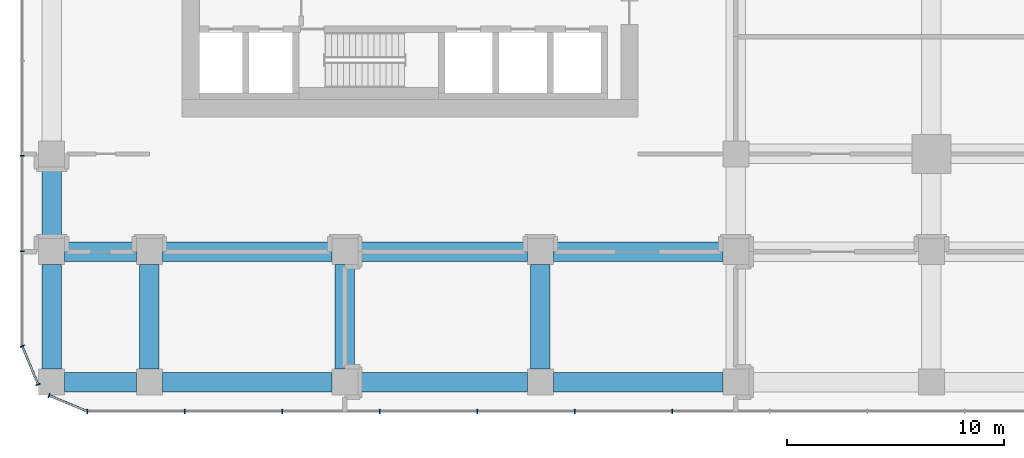
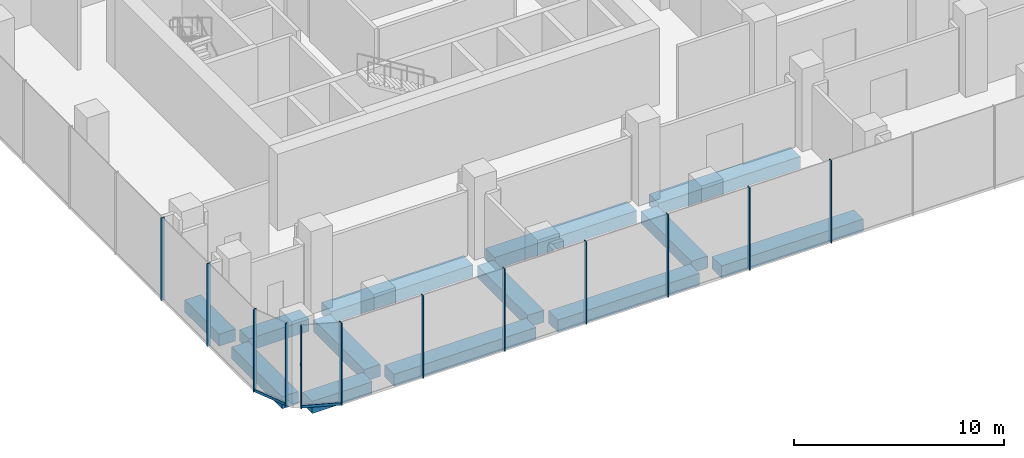
# One storey, part 2 of 42: 14 members, 13 beams, 4 elements without a shape of their own.
"""IFC4 building model written with IfcOpenShell, lengths in metres."""

from ifc_helpers import new_model, si_unit, direction, frame, origin, origin_2d, place, context, subcontext, project, spatial, rectangle, extrude, material, layer, layer_set, material_profile, profile_set, type_object, element, aggregate, save


model = new_model("IFC4")

# Units and contexts
model_context = context("Model", 3, precision=1e-05, world=origin(), true_north=direction((0.0, 1.0)))
body_context = subcontext(model_context, "Body", "Model", "MODEL_VIEW")
ifc_project = project(units=[si_unit("LENGTHUNIT", "METRE"), si_unit("AREAUNIT", "SQUARE_METRE"), si_unit("VOLUMEUNIT", "CUBIC_METRE"), si_unit("PLANEANGLEUNIT", "RADIAN"), si_unit("MASSUNIT", "GRAM", prefix="KILO")], contexts=[model_context])

# Site, building, storey
site_placement = place(None, origin())
site = spatial("IfcSite", under=ifc_project, at=site_placement, CompositionType="ELEMENT")
building_placement = place(site_placement, origin())
building = spatial("IfcBuilding", under=site, at=building_placement, Name="Plateau Cross Towers", CompositionType="ELEMENT")
storey_placement = place(building_placement, frame((0.0, 0.0, 8.0)))
storey = spatial("IfcBuildingStorey", under=building, at=storey_placement, Name="L01", CompositionType="ELEMENT", Elevation=8.0)

# Curtain wall, members
ifc_material_1 = material(Name="Dark low-iron laminated glass", Category="glass")
ifc_layer = layer(ifc_material_1, 0.300048828125)
ifc_layer_set = layer_set([ifc_layer], Name="Dark low-iron laminated glass")
curtain_wall_type = type_object("IfcCurtainWallType", Name="Curtain wall structural silicone CW-C", PredefinedType="NOTDEFINED", material=ifc_layer_set)
curtain_wall_1_placement = place(storey_placement, origin())
curtain_wall_1 = element("IfcCurtainWall", 1, at=curtain_wall_1_placement, inside=storey, type_object=curtain_wall_type, Name="ENV/P/L01/P-28_-118", PredefinedType="NOTDEFINED")
ifc_material_2 = material(Name="Black anodised aluminium", Category="aluminium")
ifc_material_profile_1 = material_profile(ifc_material_2, rectangle(XDim=0.050048828125, YDim=0.199951171875, at=origin_2d()), Name="MULLION 50x200")
ifc_profile_set_1 = profile_set([ifc_material_profile_1], Name="Black anodised aluminium")
member_type_1 = type_object("IfcMemberType", Name="Mullion 50x200 structural silicone", PredefinedType="MULLION", material=ifc_profile_set_1)
member_1_placement = place(storey_placement, frame((-2.85009765625, -11.85009765625, -0.35009765625), z_axis=(0.0, 0.0, 1.0), x_axis=(1.0, 0.0, 0.0)))
member_1 = element("IfcMember", 2, at=member_1_placement, type_object=member_type_1, Name="CW-C mullion 1", PredefinedType="MULLION", context=body_context, shape_type="SweptSolid", body=[
    extrude(rectangle(XDim=0.050048828125, YDim=0.199951171875, at=origin_2d()), origin(), (0.0, 0.0, 1.0), 4.800048828125),
])
member_2_placement = place(storey_placement, frame((1.637451171875, -11.85009765625, -0.35009765625), z_axis=(0.0, 0.0, 1.0), x_axis=(1.0, 0.0, 0.0)))
member_2 = element("IfcMember", 3, at=member_2_placement, type_object=member_type_1, Name="CW-C mullion 2", PredefinedType="MULLION", context=body_context, shape_type="SweptSolid", body=[
    extrude(rectangle(XDim=0.050048828125, YDim=0.199951171875, at=origin_2d()), origin(), (0.0, 0.0, 1.0), 4.800048828125),
])
member_3_placement = place(storey_placement, frame((6.125, -11.85009765625, -0.35009765625), z_axis=(0.0, 0.0, 1.0), x_axis=(1.0, 0.0, 0.0)))
member_3 = element("IfcMember", 4, at=member_3_placement, type_object=member_type_1, Name="CW-C mullion 3", PredefinedType="MULLION", context=body_context, shape_type="SweptSolid", body=[
    extrude(rectangle(XDim=0.050048828125, YDim=0.199951171875, at=origin_2d()), origin(), (0.0, 0.0, 1.0), 4.800048828125),
])
member_4_placement = place(storey_placement, frame((10.612548828125, -11.85009765625, -0.35009765625), z_axis=(0.0, 0.0, 1.0), x_axis=(1.0, 0.0, 0.0)))
member_4 = element("IfcMember", 5, at=member_4_placement, type_object=member_type_1, Name="CW-C mullion 4", PredefinedType="MULLION", context=body_context, shape_type="SweptSolid", body=[
    extrude(rectangle(XDim=0.050048828125, YDim=0.199951171875, at=origin_2d()), origin(), (0.0, 0.0, 1.0), 4.800048828125),
])
member_5_placement = place(storey_placement, frame((15.10009765625, -11.85009765625, -0.35009765625), z_axis=(0.0, 0.0, 1.0), x_axis=(1.0, 0.0, 0.0)))
member_5 = element("IfcMember", 6, at=member_5_placement, type_object=member_type_1, Name="CW-C mullion 5", PredefinedType="MULLION", context=body_context, shape_type="SweptSolid", body=[
    extrude(rectangle(XDim=0.050048828125, YDim=0.199951171875, at=origin_2d()), origin(), (0.0, 0.0, 1.0), 4.800048828125),
])
member_6_placement = place(storey_placement, frame((19.58740234375, -11.85009765625, -0.35009765625), z_axis=(0.0, 0.0, 1.0), x_axis=(1.0, 0.0, 0.0)))
member_6 = element("IfcMember", 7, at=member_6_placement, type_object=member_type_1, Name="CW-C mullion 6", PredefinedType="MULLION", context=body_context, shape_type="SweptSolid", body=[
    extrude(rectangle(XDim=0.050048828125, YDim=0.199951171875, at=origin_2d()), origin(), (0.0, 0.0, 1.0), 4.800048828125),
])
member_7_placement = place(storey_placement, frame((24.074951171875, -11.85009765625, -0.35009765625), z_axis=(0.0, 0.0, 1.0), x_axis=(1.0, 0.0, 0.0)))
member_7 = element("IfcMember", 8, at=member_7_placement, type_object=member_type_1, Name="CW-C mullion 7", PredefinedType="MULLION", context=body_context, shape_type="SweptSolid", body=[
    extrude(rectangle(XDim=0.050048828125, YDim=0.199951171875, at=origin_2d()), origin(), (0.0, 0.0, 1.0), 4.800048828125),
])
aggregate(curtain_wall_1, [member_1, member_2, member_3, member_4, member_5, member_6, member_7])

curtain_wall_2_placement = place(storey_placement, origin())
curtain_wall_2 = element("IfcCurtainWall", 9, at=curtain_wall_2_placement, inside=storey, type_object=curtain_wall_type, Name="ENV/P/L01/P-58_568", PredefinedType="NOTDEFINED")
member_8_placement = place(storey_placement, frame((-5.85009765625, -0.090087890625, -0.35009765625), z_axis=(0.0, 0.0, 1.0), x_axis=(0.0, -1.0, 0.0)))
member_8 = element("IfcMember", 10, at=member_8_placement, type_object=member_type_1, Name="CW-C mullion 14", PredefinedType="MULLION", context=body_context, shape_type="SweptSolid", body=[
    extrude(rectangle(XDim=0.050048828125, YDim=0.199951171875, at=origin_2d()), origin(), (0.0, 0.0, 1.0), 4.800048828125),
])
member_9_placement = place(storey_placement, frame((-5.85009765625, -4.469970703125, -0.35009765625), z_axis=(0.0, 0.0, 1.0), x_axis=(0.0, -1.0, 0.0)))
member_9 = element("IfcMember", 11, at=member_9_placement, type_object=member_type_1, Name="CW-C mullion 15", PredefinedType="MULLION", context=body_context, shape_type="SweptSolid", body=[
    extrude(rectangle(XDim=0.050048828125, YDim=0.199951171875, at=origin_2d()), origin(), (0.0, 0.0, 1.0), 4.800048828125),
])
aggregate(curtain_wall_2, [member_8, member_9])

curtain_wall_3_placement = place(storey_placement, origin())
curtain_wall_3 = element("IfcCurtainWall", 12, at=curtain_wall_3_placement, inside=storey, type_object=curtain_wall_type, Name="ENV/P/L01/P-58_-88", PredefinedType="NOTDEFINED")
member_10_placement = place(storey_placement, frame((-5.85009765625, -8.85009765625, -0.35009765625), z_axis=(0.0, 0.0, 1.0), x_axis=(0.382683612978, -0.923879457699, 0.0)))
member_10 = element("IfcMember", 13, at=member_10_placement, type_object=member_type_1, Name="CW-C mullion 1", PredefinedType="MULLION", context=body_context, shape_type="SweptSolid", body=[
    extrude(rectangle(XDim=0.050048828125, YDim=0.199951171875, at=origin_2d()), origin(), (0.0, 0.0, 1.0), 4.800048828125),
])
member_11_placement = place(storey_placement, frame((-5.1201171875, -10.6123046875, -0.35009765625), z_axis=(0.0, 0.0, 1.0), x_axis=(0.382683612978, -0.923879457699, 0.0)))
member_11 = element("IfcMember", 14, at=member_11_placement, type_object=member_type_1, Name="CW-C mullion 2", PredefinedType="MULLION", context=body_context, shape_type="SweptSolid", body=[
    extrude(rectangle(XDim=0.050048828125, YDim=0.199951171875, at=origin_2d()), origin(), (0.0, 0.0, 1.0), 4.800048828125),
])

# Curtain wall, member
curtain_wall_4_placement = place(storey_placement, origin())
curtain_wall_4 = element("IfcCurtainWall", 15, at=curtain_wall_4_placement, inside=storey, type_object=curtain_wall_type, Name="ENV/P/L01/P-46_-111", PredefinedType="NOTDEFINED")
member_12_placement = place(storey_placement, frame((-4.6123046875, -11.1201171875, -0.35009765625), z_axis=(0.0, 0.0, 1.0), x_axis=(0.923879457699, -0.382683612978, 0.0)))
member_12 = element("IfcMember", 16, at=member_12_placement, type_object=member_type_1, Name="CW-C mullion 1", PredefinedType="MULLION", context=body_context, shape_type="SweptSolid", body=[
    extrude(rectangle(XDim=0.050048828125, YDim=0.199951171875, at=origin_2d()), origin(), (0.0, 0.0, 1.0), 4.800048828125),
])

# Beams
ifc_material_3 = material(Name="Concrete C50/60", Category="concrete")
ifc_material_profile_2 = material_profile(ifc_material_3, rectangle(XDim=0.89990234375, YDim=0.699951171875, at=origin_2d()), Name="RC 900x700")
ifc_profile_set_2 = profile_set([ifc_material_profile_2], Name="Concrete C50/60")
beam_type = type_object("IfcBeamType", Name="Podium band beam RC 900x700", PredefinedType="BEAM", material=ifc_profile_set_2)
beam_1_placement = place(storey_placement, frame((-3.89990234375, -10.5, -0.699951171875), z_axis=(1.0, 0.0, 0.0), x_axis=(0.0, 1.0, 0.0)))
element("IfcBeam", 17, at=beam_1_placement, inside=storey, type_object=beam_type, Name="PB01@L01", PredefinedType="BEAM", context=body_context, shape_type="SweptSolid", body=[
    extrude(rectangle(XDim=0.89990234375, YDim=0.699951171875, at=origin_2d()), origin(), (0.0, 0.0, 1.0), 3.2998046875),
])
for number, where, z_axis, x_axis, name in (
    (18, (0.60009765625, -10.5, -0.699951171875), (1.0, 0.0, 0.0), (0.0, 1.0, 0.0), "PB02@L01"),
    (19, (9.60009765625, -10.5, -0.699951171875), (1.0, 0.0, 0.0), (0.0, 1.0, 0.0), "PB03@L01"),
    (20, (18.60009765625, -10.5, -0.699951171875), (1.0, 0.0, 0.0), (0.0, 1.0, 0.0), "PB04@L01"),
):
    element("IfcBeam", number, at=place(storey_placement, frame(where, z_axis=z_axis, x_axis=x_axis)), inside=storey, type_object=beam_type, Name=name, PredefinedType="BEAM", context=body_context, shape_type="SweptSolid", body=[
        extrude(rectangle(XDim=0.89990234375, YDim=0.699951171875, at=origin_2d()), origin(), (0.0, 0.0, 1.0), 7.7998046875),
    ])
beam_2_placement = place(storey_placement, frame((-3.89990234375, -4.5, -0.699951171875), z_axis=(1.0, 0.0, 0.0), x_axis=(0.0, 1.0, 0.0)))
element("IfcBeam", 21, at=beam_2_placement, inside=storey, type_object=beam_type, Name="PB14@L01", PredefinedType="BEAM", context=body_context, shape_type="SweptSolid", body=[
    extrude(rectangle(XDim=0.89990234375, YDim=0.699951171875, at=origin_2d()), origin(), (0.0, 0.0, 1.0), 3.2998046875),
])
for number, where, z_axis, x_axis, name in (
    (22, (0.60009765625, -4.5, -0.699951171875), (1.0, 0.0, 0.0), (0.0, 1.0, 0.0), "PB15@L01"),
    (23, (9.60009765625, -4.5, -0.699951171875), (1.0, 0.0, 0.0), (0.0, 1.0, 0.0), "PB16@L01"),
    (24, (18.60009765625, -4.5, -0.699951171875), (1.0, 0.0, 0.0), (0.0, 1.0, 0.0), "PB17@L01"),
):
    element("IfcBeam", number, at=place(storey_placement, frame(where, z_axis=z_axis, x_axis=x_axis)), inside=storey, type_object=beam_type, Name=name, PredefinedType="BEAM", context=body_context, shape_type="SweptSolid", body=[
        extrude(rectangle(XDim=0.89990234375, YDim=0.699951171875, at=origin_2d()), origin(), (0.0, 0.0, 1.0), 7.7998046875),
    ])
beam_3_placement = place(storey_placement, frame((-4.5, -9.89990234375, -0.699951171875), z_axis=(0.0, 1.0, 0.0), x_axis=(-1.0, 0.0, 0.0)))
element("IfcBeam", 25, at=beam_3_placement, inside=storey, type_object=beam_type, Name="PB93@L01", PredefinedType="BEAM", context=body_context, shape_type="SweptSolid", body=[
    extrude(rectangle(XDim=0.89990234375, YDim=0.699951171875, at=origin_2d()), origin(), (0.0, 0.0, 1.0), 4.7998046875),
])
beam_4_placement = place(storey_placement, frame((-4.5, -3.89990234375, -0.699951171875), z_axis=(0.0, 1.0, 0.0), x_axis=(-1.0, 0.0, 0.0)))
element("IfcBeam", 26, at=beam_4_placement, inside=storey, type_object=beam_type, Name="PB94@L01", PredefinedType="BEAM", context=body_context, shape_type="SweptSolid", body=[
    extrude(rectangle(XDim=0.89990234375, YDim=0.699951171875, at=origin_2d()), origin(), (0.0, 0.0, 1.0), 3.2998046875),
])
for number, where, z_axis, x_axis, name in (
    (27, (0.0, -9.89990234375, -0.699951171875), (0.0, 1.0, 0.0), (-1.0, 0.0, 0.0), "PB101@L01"),
    (28, (9.0, -9.89990234375, -0.699951171875), (0.0, 1.0, 0.0), (-1.0, 0.0, 0.0), "PB106@L01"),
    (29, (18.0, -9.89990234375, -0.699951171875), (0.0, 1.0, 0.0), (-1.0, 0.0, 0.0), "PB109@L01"),
):
    element("IfcBeam", number, at=place(storey_placement, frame(where, z_axis=z_axis, x_axis=x_axis)), inside=storey, type_object=beam_type, Name=name, PredefinedType="BEAM", context=body_context, shape_type="SweptSolid", body=[
        extrude(rectangle(XDim=0.89990234375, YDim=0.699951171875, at=origin_2d()), origin(), (0.0, 0.0, 1.0), 4.7998046875),
    ])

# Member
ifc_material_profile_3 = material_profile(ifc_material_2, rectangle(XDim=0.10009765625, YDim=0.14990234375, at=origin_2d()), Name="TRANSOM 100x150")
ifc_profile_set_3 = profile_set([ifc_material_profile_3], Name="Black anodised aluminium")
member_type_2 = type_object("IfcMemberType", Name="Transom 100x150 structural silicone", PredefinedType="USERDEFINED", material=ifc_profile_set_3)
member_13_placement = place(storey_placement, frame((-5.85009765625, -8.85009765625, -0.27490234375), z_axis=(0.38270599329, -0.923870187147, 0.0), x_axis=(0.923870187147, 0.38270599329, 0.0)))
member_13 = element("IfcMember", 30, at=member_13_placement, type_object=member_type_2, Name="CW-C transom", ObjectType="TRANSOM", PredefinedType="USERDEFINED", context=body_context, shape_type="SweptSolid", body=[
    extrude(rectangle(XDim=0.10009765625, YDim=0.14990234375, at=origin_2d()), origin(), (0.0, 0.0, 1.0), 1.907470703125),
])

aggregate(curtain_wall_3, [member_10, member_11, member_13])

member_14_placement = place(storey_placement, frame((-4.6123046875, -11.1201171875, -0.27490234375), z_axis=(0.923870187147, -0.38270599329, 0.0), x_axis=(0.38270599329, 0.923870187147, 0.0)))
member_14 = element("IfcMember", 31, at=member_14_placement, type_object=member_type_2, Name="CW-C transom", ObjectType="TRANSOM", PredefinedType="USERDEFINED", context=body_context, shape_type="SweptSolid", body=[
    extrude(rectangle(XDim=0.10009765625, YDim=0.14990234375, at=origin_2d()), origin(), (0.0, 0.0, 1.0), 1.907470703125),
])

aggregate(curtain_wall_4, [member_12, member_14])

save(model, "model.ifc")
